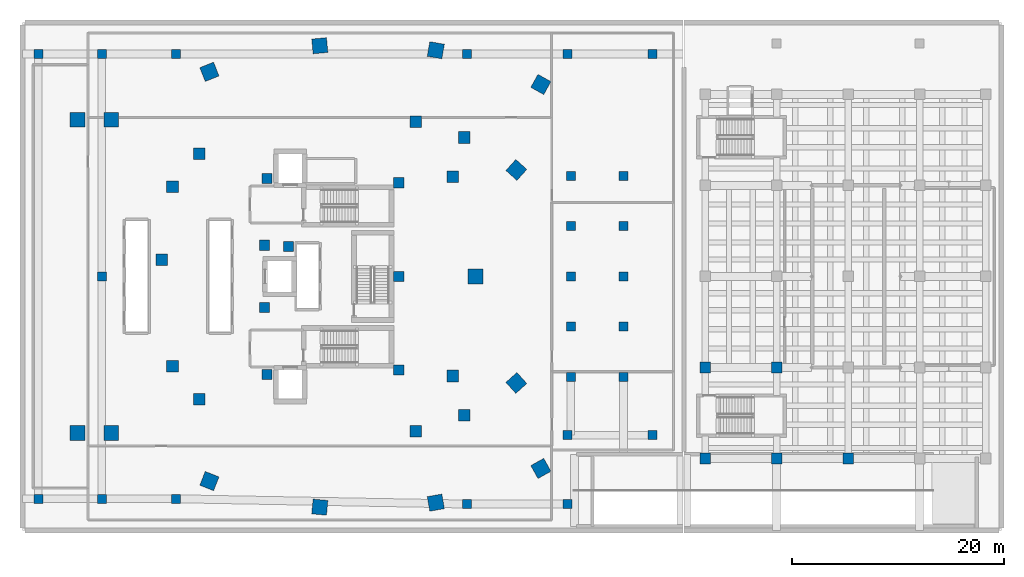
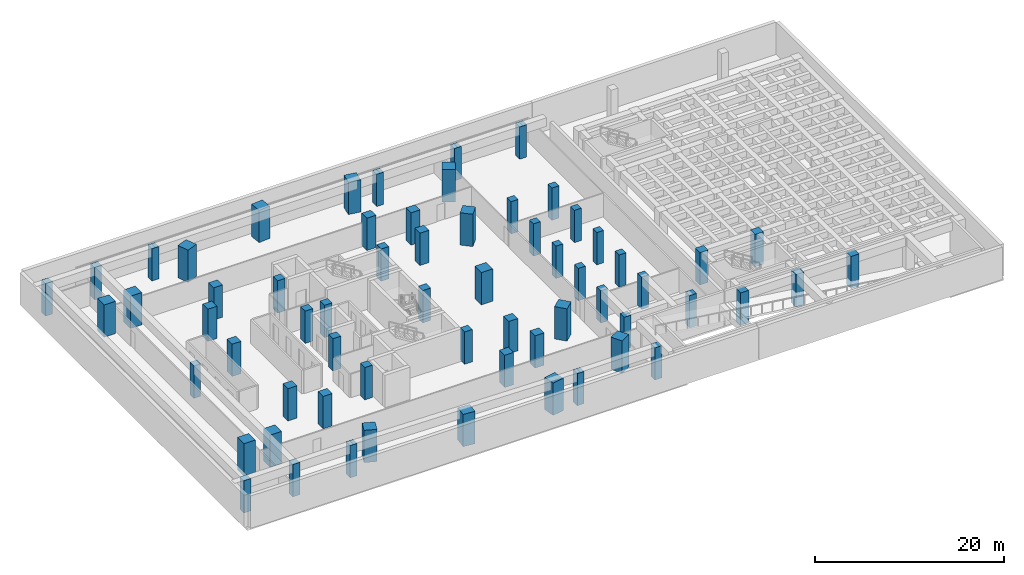
# One storey, part 1 of 13: 63 columns.
"""IFC4 building model written with IfcOpenShell, lengths in metres."""

from ifc_helpers import new_model, si_unit, direction, frame, origin, origin_2d, place, context, subcontext, project, spatial, rectangle, extrude, material, material_profile, profile_set, type_object, element, save


model = new_model("IFC4")

# Units and contexts
model_context = context("Model", 3, precision=1e-05, world=origin(), true_north=direction((0.0, 1.0)))
body_context = subcontext(model_context, "Body", "Model", "MODEL_VIEW")
ifc_project = project(units=[si_unit("LENGTHUNIT", "METRE"), si_unit("AREAUNIT", "SQUARE_METRE"), si_unit("VOLUMEUNIT", "CUBIC_METRE"), si_unit("PLANEANGLEUNIT", "RADIAN"), si_unit("MASSUNIT", "GRAM", prefix="KILO")], contexts=[model_context])

# Site, building, storey
site_placement = place(None, origin())
site = spatial("IfcSite", under=ifc_project, at=site_placement, CompositionType="ELEMENT")
building_placement = place(site_placement, origin())
building = spatial("IfcBuilding", under=site, at=building_placement, Name="Korentha Bioscience Tower", CompositionType="ELEMENT")
storey_placement = place(building_placement, frame((0.0, 0.0, -4.5)))
storey = spatial("IfcBuildingStorey", under=building, at=storey_placement, Name="B1", CompositionType="ELEMENT", Elevation=-4.5)

# Columns
ifc_material_1 = material(Name="Concrete C65", Category="concrete")
ifc_material_profile_1 = material_profile(ifc_material_1, rectangle(XDim=0.85009765625, YDim=0.85009765625, at=origin_2d()), Name="Concrete C65")
ifc_profile_set_1 = profile_set([ifc_material_profile_1], Name="Concrete C65 (BC-01)")
column_type_1 = type_object("IfcColumnType", Name="Basement Car Park Column RC 850x850", PredefinedType="COLUMN", material=ifc_profile_set_1)
for number, where, z_axis, x_axis, name in (
    (1, (3.5, 6.0, 0.0), (0.0, 0.0, 1.0), (1.0, 0.0, 0.0), "B1 Car Park Column BC-01"),
    (2, (3.5, 48.0, 0.0), (0.0, 0.0, 1.0), (1.0, 0.0, 0.0), "B1 Car Park Column BC-02"),
    (3, (9.5, 6.0, 0.0), (0.0, 0.0, 1.0), (1.0, 0.0, 0.0), "B1 Car Park Column BC-03"),
    (4, (9.5, 27.0, 0.0), (0.0, 0.0, 1.0), (1.0, 0.0, 0.0), "B1 Car Park Column BC-04"),
    (5, (9.5, 48.0, 0.0), (0.0, 0.0, 1.0), (1.0, 0.0, 0.0), "B1 Car Park Column BC-05"),
    (6, (16.5, 6.0, 0.0), (0.0, 0.0, 1.0), (1.0, 0.0, 0.0), "B1 Car Park Column BC-06"),
    (7, (16.5, 48.0, 0.0), (0.0, 0.0, 1.0), (1.0, 0.0, 0.0), "B1 Car Park Column BC-07"),
    (8, (44.0, 5.5, 0.0), (0.0, 0.0, 1.0), (1.0, 0.0, 0.0), "B1 Car Park Column BC-08"),
    (9, (44.0, 48.0, 0.0), (0.0, 0.0, 1.0), (1.0, 0.0, 0.0), "B1 Car Park Column BC-09"),
    (10, (53.5, 5.5, 0.0), (0.0, 0.0, 1.0), (1.0, 0.0, 0.0), "B1 Car Park Column BC-10"),
    (11, (53.5, 12.0, 0.0), (0.0, 0.0, 1.0), (1.0, 0.0, 0.0), "B1 Car Park Column BC-11"),
    (12, (53.5, 48.0, 0.0), (0.0, 0.0, 1.0), (1.0, 0.0, 0.0), "B1 Car Park Column BC-12"),
    (13, (61.5, 12.0, 0.0), (0.0, 0.0, 1.0), (1.0, 0.0, 0.0), "B1 Car Park Column BC-13"),
    (14, (61.5, 48.0, 0.0), (0.0, 0.0, 1.0), (1.0, 0.0, 0.0), "B1 Car Park Column BC-14"),
    (15, (58.800048828125, 17.5, 0.0), (0.0, 0.0, 1.0), (1.0, 0.0, 0.0), "B1 Arcade Foundation Column E-01"),
    (16, (53.800048828125, 17.5, 0.0), (0.0, 0.0, 1.0), (1.0, 0.0, 0.0), "B1 Arcade Foundation Column W-01"),
    (17, (58.800048828125, 22.25, 0.0), (0.0, 0.0, 1.0), (1.0, 0.0, 0.0), "B1 Arcade Foundation Column E-02"),
    (18, (53.800048828125, 22.25, 0.0), (0.0, 0.0, 1.0), (1.0, 0.0, 0.0), "B1 Arcade Foundation Column W-02"),
    (19, (58.800048828125, 27.0, 0.0), (0.0, 0.0, 1.0), (1.0, 0.0, 0.0), "B1 Arcade Foundation Column E-03"),
    (20, (53.800048828125, 27.0, 0.0), (0.0, 0.0, 1.0), (1.0, 0.0, 0.0), "B1 Arcade Foundation Column W-03"),
    (21, (58.800048828125, 31.75, 0.0), (0.0, 0.0, 1.0), (1.0, 0.0, 0.0), "B1 Arcade Foundation Column E-04"),
    (22, (53.800048828125, 31.75, 0.0), (0.0, 0.0, 1.0), (1.0, 0.0, 0.0), "B1 Arcade Foundation Column W-04"),
    (23, (58.800048828125, 36.5, 0.0), (0.0, 0.0, 1.0), (1.0, 0.0, 0.0), "B1 Arcade Foundation Column E-05"),
    (24, (53.800048828125, 36.5, 0.0), (0.0, 0.0, 1.0), (1.0, 0.0, 0.0), "B1 Arcade Foundation Column W-05"),
):
    element("IfcColumn", number, at=place(storey_placement, frame(where, z_axis=z_axis, x_axis=x_axis)), inside=storey, type_object=column_type_1, Name=name, PredefinedType="COLUMN", context=body_context, shape_type="SweptSolid", body=[
        extrude(rectangle(XDim=0.85009765625, YDim=0.85009765625, at=origin_2d()), origin(), (0.0, 0.0, 1.0), 4.179931640625),
    ])
ifc_material_2 = material(Name="Concrete C80", Category="concrete")
ifc_material_profile_2 = material_profile(ifc_material_2, rectangle(XDim=1.39990234375, YDim=1.39990234375, at=origin_2d()), Name="Concrete C80")
ifc_profile_set_2 = profile_set([ifc_material_profile_2], Name="Concrete C80 (COL-B14)")
column_type_2 = type_object("IfcColumnType", Name="Basement Tower Column RC 1400x1400", PredefinedType="COLUMN", material=ifc_profile_set_2)
for number, where, z_axis, x_axis, name in (
    (25, (7.199951171875, 12.199951171875, 0.0), (0.0, 0.0, 1.0), (1.0, 0.0, 0.0), "B1 Arch Abutment Column 1-S"),
    (26, (7.199951171875, 41.800048828125, 0.0), (0.0, 0.0, 1.0), (1.0, 0.0, 0.0), "B1 Arch Abutment Column 1-N"),
    (27, (10.39990234375, 12.199951171875, 0.0), (0.0, 0.0, 1.0), (1.0, 0.0, 0.0), "B1 Arch Abutment Column 2-S"),
    (28, (10.39990234375, 41.800048828125, 0.0), (0.0, 0.0, 1.0), (1.0, 0.0, 0.0), "B1 Arch Abutment Column 2-N"),
    (29, (50.977294921875, 45.135498046875, 0.0), (0.0, 0.0, 1.0), (-0.874535078577, 0.484962262797, 0.0), "B1 Tower Perimeter Column 01"),
    (30, (41.052490234375, 48.36669921875, 0.0), (0.0, 0.0, 1.0), (-0.984868307662, 0.173304404339, 0.0), "B1 Tower Perimeter Column 02"),
    (31, (30.09423828125, 48.79248046875, 0.0), (0.0, 0.0, 1.0), (0.995462868748, 0.095150811579, 0.0), "B1 Tower Perimeter Column 03"),
    (32, (19.66650390625, 46.328857421875, 0.0), (0.0, 0.0, 1.0), (0.930225540858, 0.366988341962, 0.0), "B1 Tower Perimeter Column 04"),
    (33, (19.66650390625, 7.671142578125, 0.0), (0.0, 0.0, 1.0), (-0.930225540858, 0.366988341962, 0.0), "B1 Tower Perimeter Column 10"),
    (34, (30.09423828125, 5.20751953125, 0.0), (0.0, 0.0, 1.0), (-0.995462868748, 0.095150811579, 0.0), "B1 Tower Perimeter Column 11"),
    (35, (41.052490234375, 5.63330078125, 0.0), (0.0, 0.0, 1.0), (0.984868307662, 0.173304404339, 0.0), "B1 Tower Perimeter Column 12"),
    (36, (50.977294921875, 8.864501953125, 0.0), (0.0, 0.0, 1.0), (0.874535078577, 0.484962262797, 0.0), "B1 Tower Perimeter Column 13"),
    (37, (48.661865234375, 16.939208984375, 0.0), (0.0, 0.0, 1.0), (-0.669130606359, 0.743144825477, 0.0), "B1 Tower Perimeter Column 14"),
    (38, (44.798583984375, 27.0, 0.0), (0.0, 0.0, 1.0), (0.0, 1.0, 0.0), "B1 Tower Perimeter Column 15"),
    (39, (48.661865234375, 37.060791015625, 0.0), (0.0, 0.0, 1.0), (0.669130606359, 0.743144825477, 0.0), "B1 Tower Perimeter Column 16"),
):
    element("IfcColumn", number, at=place(storey_placement, frame(where, z_axis=z_axis, x_axis=x_axis)), inside=storey, type_object=column_type_2, Name=name, PredefinedType="COLUMN", context=body_context, shape_type="SweptSolid", body=[
        extrude(rectangle(XDim=1.39990234375, YDim=1.39990234375, at=origin_2d()), origin(), (0.0, 0.0, 1.0), 4.179931640625),
    ])
ifc_material_profile_3 = material_profile(ifc_material_1, rectangle(XDim=0.949951171875, YDim=0.949951171875, at=origin_2d()), Name="Concrete C65")
ifc_profile_set_3 = profile_set([ifc_material_profile_3], Name="Concrete C65 (COL-CP09)")
column_type_3 = type_object("IfcColumnType", Name="Core Pilaster Column RC 950x950", PredefinedType="PILASTER", material=ifc_profile_set_3)
for number, where, z_axis, x_axis, name in (
    (40, (37.550048828125, 35.85009765625, -0.00048828125), (0.0, 0.0, 1.0), (1.0, 0.0, 0.0), "B1 Core Pilaster CP-01"),
    (41, (25.10009765625, 36.25, -0.00048828125), (0.0, 0.0, 1.0), (1.0, 0.0, 0.0), "B1 Core Pilaster CP-02"),
    (42, (24.85009765625, 29.949951171875, -0.00048828125), (0.0, 0.0, 1.0), (1.0, 0.0, 0.0), "B1 Core Pilaster CP-03"),
    (43, (27.14990234375, 29.85009765625, -0.00048828125), (0.0, 0.0, 1.0), (1.0, 0.0, 0.0), "B1 Core Pilaster CP-04"),
    (44, (24.85009765625, 24.050048828125, -0.00048828125), (0.0, 0.0, 1.0), (1.0, 0.0, 0.0), "B1 Core Pilaster CP-05"),
    (45, (25.10009765625, 17.75, -0.00048828125), (0.0, 0.0, 1.0), (1.0, 0.0, 0.0), "B1 Core Pilaster CP-06"),
    (46, (37.550048828125, 18.14990234375, -0.00048828125), (0.0, 0.0, 1.0), (1.0, 0.0, 0.0), "B1 Core Pilaster CP-07"),
    (47, (37.550048828125, 27.0, -0.00048828125), (0.0, 0.0, 1.0), (1.0, 0.0, 0.0), "B1 Core Pilaster CP-08"),
):
    element("IfcColumn", number, at=place(storey_placement, frame(where, z_axis=z_axis, x_axis=x_axis)), inside=storey, type_object=column_type_3, Name=name, PredefinedType="PILASTER", context=body_context, shape_type="SweptSolid", body=[
        extrude(rectangle(XDim=0.949951171875, YDim=0.949951171875, at=origin_2d()), origin(), (0.0, 0.0, 1.0), 4.180908203125),
    ])
ifc_material_profile_4 = material_profile(ifc_material_2, rectangle(XDim=1.10009765625, YDim=1.10009765625, at=origin_2d()), Name="Concrete C80")
ifc_profile_set_4 = profile_set([ifc_material_profile_4], Name="Concrete C80 (COL-MR11)")
column_type_4 = type_object("IfcColumnType", Name="Mid-Ring Lab Column RC 1100x1100", PredefinedType="COLUMN", material=ifc_profile_set_4)
for number, where, z_axis, x_axis, name in (
    (48, (43.7265625, 40.121337890625, 0.0), (0.0, 0.0, 1.0), (1.0, 0.0, 0.0), "B1 Mid-Ring Column 01"),
    (49, (39.1611328125, 41.607666015625, 0.0), (0.0, 0.0, 1.0), (1.0, 0.0, 0.0), "B1 Mid-Ring Column 02"),
    (50, (18.692138671875, 38.5947265625, 0.0), (0.0, 0.0, 1.0), (1.0, 0.0, 0.0), "B1 Mid-Ring Column 05"),
    (51, (16.174072265625, 35.489013671875, 0.0), (0.0, 0.0, 1.0), (1.0, 0.0, 0.0), "B1 Mid-Ring Column 06"),
    (52, (15.1787109375, 28.593505859375, 0.0), (0.0, 0.0, 1.0), (1.0, 0.0, 0.0), "B1 Mid-Ring Column 07"),
    (53, (16.174072265625, 18.510986328125, 0.0), (0.0, 0.0, 1.0), (1.0, 0.0, 0.0), "B1 Mid-Ring Column 08"),
    (54, (18.692138671875, 15.4052734375, 0.0), (0.0, 0.0, 1.0), (1.0, 0.0, 0.0), "B1 Mid-Ring Column 09"),
    (55, (39.1611328125, 12.392333984375, 0.0), (0.0, 0.0, 1.0), (1.0, 0.0, 0.0), "B1 Mid-Ring Column 12"),
    (56, (43.7265625, 13.878662109375, 0.0), (0.0, 0.0, 1.0), (1.0, 0.0, 0.0), "B1 Mid-Ring Column 13"),
    (57, (42.66162109375, 17.593017578125, 0.0), (0.0, 0.0, 1.0), (1.0, 0.0, 0.0), "B1 Mid-Ring Column 14"),
    (58, (42.66162109375, 36.406982421875, 0.0), (0.0, 0.0, 1.0), (1.0, 0.0, 0.0), "B1 Mid-Ring Column 16"),
):
    element("IfcColumn", number, at=place(storey_placement, frame(where, z_axis=z_axis, x_axis=x_axis)), inside=storey, type_object=column_type_4, Name=name, PredefinedType="COLUMN", context=body_context, shape_type="SweptSolid", body=[
        extrude(rectangle(XDim=1.10009765625, YDim=1.10009765625, at=origin_2d()), origin(), (0.0, 0.0, 1.0), 4.179931640625),
    ])
ifc_material_3 = material(Name="Concrete C50", Category="concrete")
ifc_material_profile_5 = material_profile(ifc_material_3, rectangle(XDim=1.0, YDim=1.0, at=origin_2d()), Name="Concrete C50")
ifc_profile_set_5 = profile_set([ifc_material_profile_5], Name="Concrete C50 (TC-I01)")
column_type_5 = type_object("IfcColumnType", Name="Theatre Interior Column RC 1000x1000", PredefinedType="COLUMN", material=ifc_profile_set_5)
for number, where, z_axis, x_axis, name in (
    (59, (66.5, 9.800048828125, 0.0), (0.0, 0.0, 1.0), (1.0, 0.0, 0.0), "B1 Theatre Foundation Column 1-1"),
    (60, (66.5, 18.39990234375, 0.0), (0.0, 0.0, 1.0), (1.0, 0.0, 0.0), "B1 Theatre Foundation Column 1-2"),
    (61, (73.25, 9.800048828125, 0.0), (0.0, 0.0, 1.0), (1.0, 0.0, 0.0), "B1 Theatre Foundation Column 2-1"),
    (62, (73.25, 18.39990234375, 0.0), (0.0, 0.0, 1.0), (1.0, 0.0, 0.0), "B1 Theatre Foundation Column 2-2"),
    (63, (80.0, 9.800048828125, 0.0), (0.0, 0.0, 1.0), (1.0, 0.0, 0.0), "B1 Theatre Foundation Column 3-1"),
):
    element("IfcColumn", number, at=place(storey_placement, frame(where, z_axis=z_axis, x_axis=x_axis)), inside=storey, type_object=column_type_5, Name=name, PredefinedType="COLUMN", context=body_context, shape_type="SweptSolid", body=[
        extrude(rectangle(XDim=1.0, YDim=1.0, at=origin_2d()), origin(), (0.0, 0.0, 1.0), 4.179931640625),
    ])

save(model, "model.ifc")
